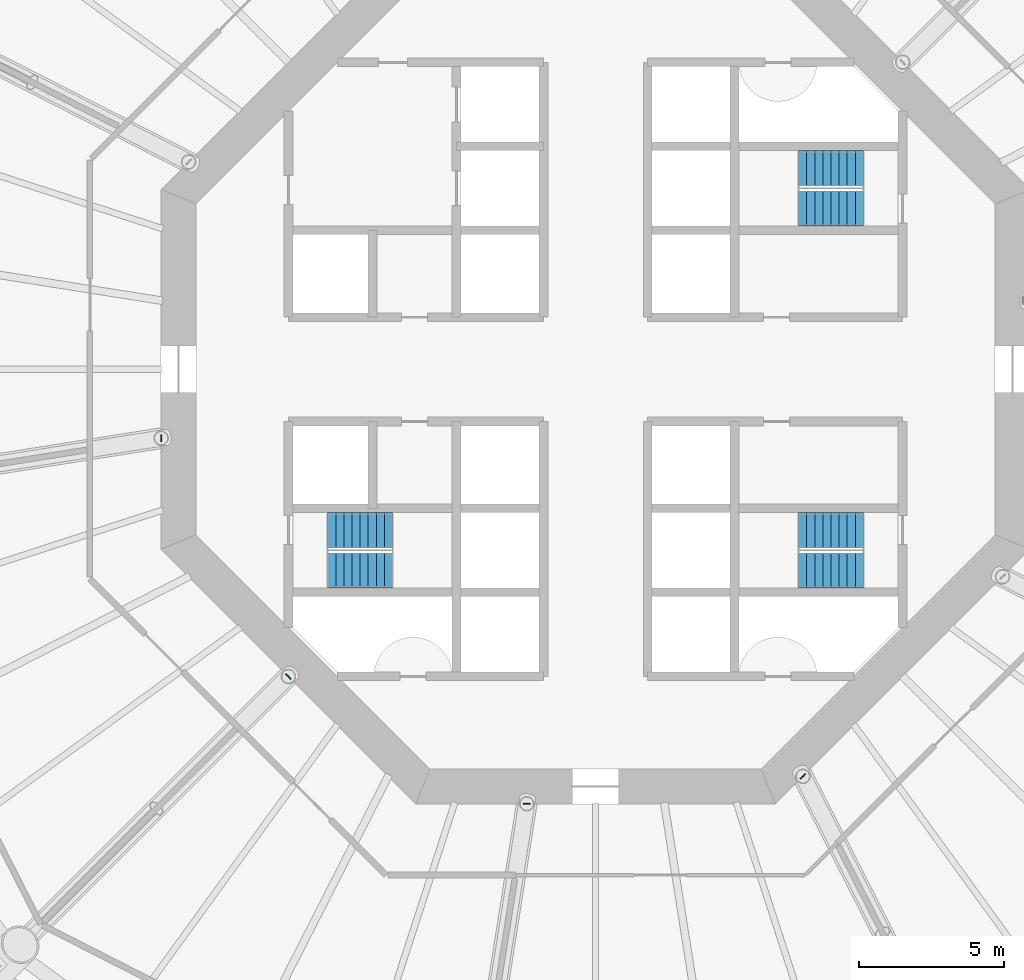
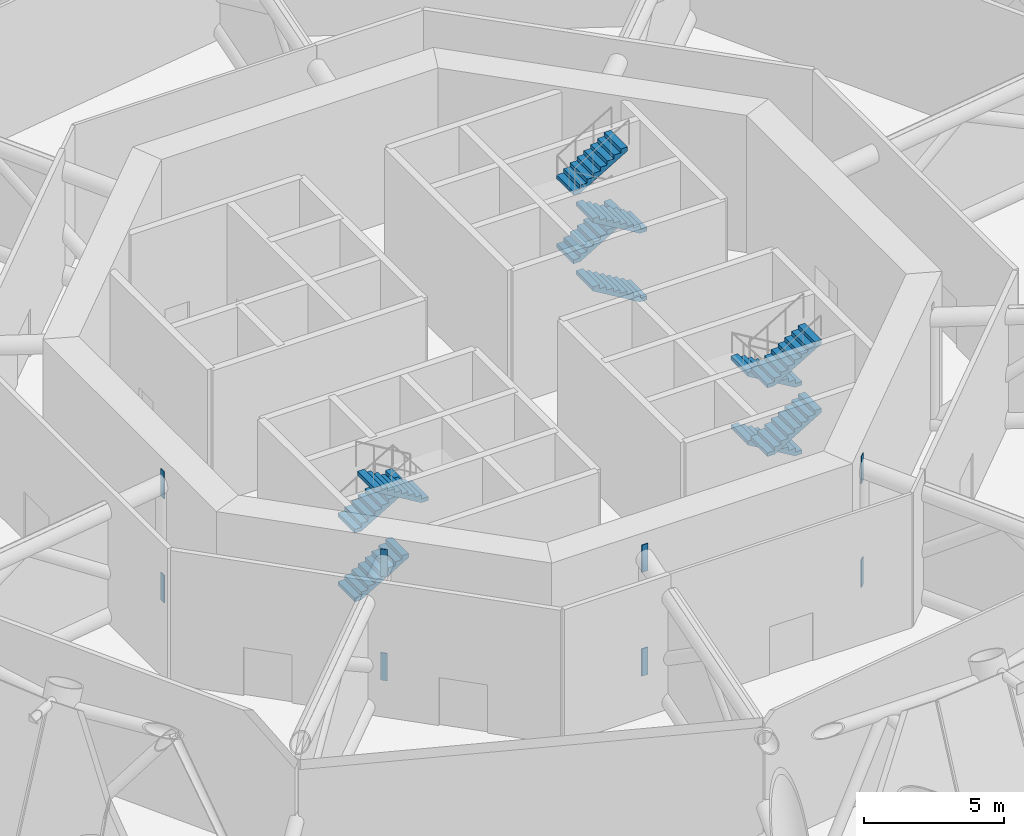
# One storey, part 10 of 18: 11 stair flights, 8 discrete accessories, 3 elements without a shape of their own.
"""IFC4 building model written with IfcOpenShell, lengths in metres."""

from ifc_helpers import new_model, si_unit, direction, frame, origin, origin_2d, place, context, subcontext, project, spatial, polyline, rectangle, outline, extrude, material, type_object, element, aggregate, save


model = new_model("IFC4")

# Units and contexts
model_context = context("Model", 3, precision=1e-05, world=origin(), true_north=direction((0.0, 1.0)))
body_context = subcontext(model_context, "Body", "Model", "MODEL_VIEW")
ifc_project = project(units=[si_unit("LENGTHUNIT", "METRE"), si_unit("AREAUNIT", "SQUARE_METRE"), si_unit("VOLUMEUNIT", "CUBIC_METRE"), si_unit("PLANEANGLEUNIT", "RADIAN"), si_unit("MASSUNIT", "GRAM", prefix="KILO")], contexts=[model_context])

# Site, building, storey
site_placement = place(None, origin())
site = spatial("IfcSite", under=ifc_project, at=site_placement, CompositionType="ELEMENT")
building_placement = place(site_placement, origin())
building = spatial("IfcBuilding", under=site, at=building_placement, Name="Entoto Ring Tower", CompositionType="ELEMENT")
storey_placement = place(building_placement, frame((0.0, 0.0, 138.0)))
storey = spatial("IfcBuildingStorey", under=building, at=storey_placement, Name="L31", CompositionType="ELEMENT", Elevation=138.0)

# Stair, stair flights
ifc_material_1 = material(Name="Concrete C40/50", Category="concrete")
stair_type = type_object("IfcStairType", Name="Exit stair 1200 mm dog-leg reinforced concrete", PredefinedType="HALF_TURN_STAIR", material=ifc_material_1)
stair_1_placement = place(storey_placement, origin())
stair_1 = element("IfcStair", 1, at=stair_1_placement, inside=storey, type_object=stair_type, Name="Exit stair 1", PredefinedType="HALF_TURN_STAIR")
ifc_material_2 = material(Name="Concrete C40/50", Category="concrete")
stair_flight_type = type_object("IfcStairFlightType", Name="Stair flight 1200 mm reinforced concrete", PredefinedType="STRAIGHT", material=ifc_material_2)
stair_flight_1_placement = place(storey_placement, frame((99.25, 85.550048828125, 0.0), z_axis=(0.0, 0.0, 1.0), x_axis=(-1.0, 0.0, 0.0)))
stair_flight_1 = element("IfcStairFlight", 2, at=stair_flight_1_placement, type_object=stair_flight_type, Name="ST1 flight 1", NumberOfRisers=9, NumberOfTreads=8, PredefinedType="STRAIGHT", RiserHeight=0.166666667, TreadLength=0.28, context=body_context, shape_type="SweptSolid", body=[
    extrude(outline(polyline([(0.0, 0.0), (0.0, 0.166748046875), (0.280029296875, 0.166748046875), (0.280029296875, 0.333251953125), (0.56005859375, 0.333251953125), (0.56005859375, 0.5), (0.840087890625, 0.5), (0.840087890625, 0.666748046875), (1.1201171875, 0.666748046875), (1.1201171875, 0.833251953125), (1.39990234375, 0.833251953125), (1.39990234375, 1.0), (1.679931640625, 1.0), (1.679931640625, 1.166748046875), (1.9599609375, 1.166748046875), (1.9599609375, 1.333251953125), (2.239990234375, 1.333251953125), (2.239990234375, 1.5), (2.239990234375, 1.158935546875), (0.29296875, 0.0), (0.0, 0.0)])), frame((0.0, 0.60009765625, 0.0), z_axis=(0.0, -1.0, 0.0), x_axis=(1.0, 0.0, 0.0)), (0.0, 0.0, 1.0), 1.199951171875),
])
stair_flight_2_placement = place(storey_placement, frame((97.010009765625, 86.949951171875, 1.5), z_axis=(0.0, 0.0, 1.0), x_axis=(1.0, 0.0, 0.0)))
stair_flight_2 = element("IfcStairFlight", 3, at=stair_flight_2_placement, type_object=stair_flight_type, Name="ST1 flight 2", NumberOfRisers=9, NumberOfTreads=8, PredefinedType="STRAIGHT", RiserHeight=0.166666667, TreadLength=0.28, context=body_context, shape_type="SweptSolid", body=[
    extrude(outline(polyline([(0.0, 0.0), (0.0, 0.166748046875), (0.280029296875, 0.166748046875), (0.280029296875, 0.333251953125), (0.56005859375, 0.333251953125), (0.56005859375, 0.5), (0.840087890625, 0.5), (0.840087890625, 0.666748046875), (1.1201171875, 0.666748046875), (1.1201171875, 0.833251953125), (1.39990234375, 0.833251953125), (1.39990234375, 1.0), (1.679931640625, 1.0), (1.679931640625, 1.166748046875), (1.9599609375, 1.166748046875), (1.9599609375, 1.333251953125), (2.239990234375, 1.333251953125), (2.239990234375, 1.5), (2.239990234375, 1.158935546875), (0.29296875, 0.0), (0.0, 0.0)])), frame((0.0, 0.60009765625, 0.0), z_axis=(0.0, -1.0, 0.0), x_axis=(1.0, 0.0, 0.0)), (0.0, 0.0, 1.0), 1.199951171875),
])
stair_flight_3_placement = place(storey_placement, frame((99.25, 85.550048828125, 3.0), z_axis=(0.0, 0.0, 1.0), x_axis=(-1.0, 0.0, 0.0)))
stair_flight_3 = element("IfcStairFlight", 4, at=stair_flight_3_placement, type_object=stair_flight_type, Name="ST1 flight 3", NumberOfRisers=9, NumberOfTreads=8, PredefinedType="STRAIGHT", RiserHeight=0.166666667, TreadLength=0.28, context=body_context, shape_type="SweptSolid", body=[
    extrude(outline(polyline([(0.0, 0.0), (0.0, 0.166748046875), (0.280029296875, 0.166748046875), (0.280029296875, 0.333251953125), (0.56005859375, 0.333251953125), (0.56005859375, 0.5), (0.840087890625, 0.5), (0.840087890625, 0.666748046875), (1.1201171875, 0.666748046875), (1.1201171875, 0.833251953125), (1.39990234375, 0.833251953125), (1.39990234375, 1.0), (1.679931640625, 1.0), (1.679931640625, 1.166748046875), (1.9599609375, 1.166748046875), (1.9599609375, 1.333251953125), (2.239990234375, 1.333251953125), (2.239990234375, 1.5), (2.239990234375, 1.158935546875), (0.29296875, 0.0), (0.0, 0.0)])), frame((0.0, 0.60009765625, 0.0), z_axis=(0.0, -1.0, 0.0), x_axis=(1.0, 0.0, 0.0)), (0.0, 0.0, 1.0), 1.199951171875),
])
stair_flight_4_placement = place(storey_placement, frame((97.010009765625, 86.949951171875, 4.5), z_axis=(0.0, 0.0, 1.0), x_axis=(1.0, 0.0, 0.0)))
stair_flight_4 = element("IfcStairFlight", 5, at=stair_flight_4_placement, type_object=stair_flight_type, Name="ST1 flight 4", NumberOfRisers=9, NumberOfTreads=8, PredefinedType="STRAIGHT", RiserHeight=0.166666667, TreadLength=0.28, context=body_context, shape_type="SweptSolid", body=[
    extrude(outline(polyline([(0.0, 0.0), (0.0, 0.166748046875), (0.280029296875, 0.166748046875), (0.280029296875, 0.333251953125), (0.56005859375, 0.333251953125), (0.56005859375, 0.5), (0.840087890625, 0.5), (0.840087890625, 0.666748046875), (1.1201171875, 0.666748046875), (1.1201171875, 0.833251953125), (1.39990234375, 0.833251953125), (1.39990234375, 1.0), (1.679931640625, 1.0), (1.679931640625, 1.166748046875), (1.9599609375, 1.166748046875), (1.9599609375, 1.333251953125), (2.239990234375, 1.333251953125), (2.239990234375, 1.5), (2.239990234375, 1.158935546875), (0.29296875, 0.0), (0.0, 0.0)])), frame((0.0, 0.60009765625, 0.0), z_axis=(0.0, -1.0, 0.0), x_axis=(1.0, 0.0, 0.0)), (0.0, 0.0, 1.0), 1.199951171875),
])
aggregate(stair_1, [stair_flight_1, stair_flight_2, stair_flight_3, stair_flight_4])

stair_2_placement = place(storey_placement, origin())
stair_2 = element("IfcStair", 6, at=stair_2_placement, inside=storey, type_object=stair_type, Name="Exit stair 2", PredefinedType="HALF_TURN_STAIR")
stair_flight_5_placement = place(storey_placement, frame((80.75, 74.449951171875, 0.0), z_axis=(0.0, 0.0, 1.0), x_axis=(1.0, 0.0, 0.0)))
stair_flight_5 = element("IfcStairFlight", 7, at=stair_flight_5_placement, type_object=stair_flight_type, Name="ST2 flight 1", NumberOfRisers=9, NumberOfTreads=8, PredefinedType="STRAIGHT", RiserHeight=0.166666667, TreadLength=0.28, context=body_context, shape_type="SweptSolid", body=[
    extrude(outline(polyline([(0.0, 0.0), (0.0, 0.166748046875), (0.280029296875, 0.166748046875), (0.280029296875, 0.333251953125), (0.56005859375, 0.333251953125), (0.56005859375, 0.5), (0.840087890625, 0.5), (0.840087890625, 0.666748046875), (1.1201171875, 0.666748046875), (1.1201171875, 0.833251953125), (1.39990234375, 0.833251953125), (1.39990234375, 1.0), (1.679931640625, 1.0), (1.679931640625, 1.166748046875), (1.9599609375, 1.166748046875), (1.9599609375, 1.333251953125), (2.239990234375, 1.333251953125), (2.239990234375, 1.5), (2.239990234375, 1.158935546875), (0.29296875, 0.0), (0.0, 0.0)])), frame((0.0, 0.60009765625, 0.0), z_axis=(0.0, -1.0, 0.0), x_axis=(1.0, 0.0, 0.0)), (0.0, 0.0, 1.0), 1.199951171875),
])
stair_flight_6_placement = place(storey_placement, frame((80.75, 74.449951171875, 3.0), z_axis=(0.0, 0.0, 1.0), x_axis=(1.0, 0.0, 0.0)))
stair_flight_6 = element("IfcStairFlight", 8, at=stair_flight_6_placement, type_object=stair_flight_type, Name="ST2 flight 3", NumberOfRisers=9, NumberOfTreads=8, PredefinedType="STRAIGHT", RiserHeight=0.166666667, TreadLength=0.28, context=body_context, shape_type="SweptSolid", body=[
    extrude(outline(polyline([(0.0, 0.0), (0.0, 0.166748046875), (0.280029296875, 0.166748046875), (0.280029296875, 0.333251953125), (0.56005859375, 0.333251953125), (0.56005859375, 0.5), (0.840087890625, 0.5), (0.840087890625, 0.666748046875), (1.1201171875, 0.666748046875), (1.1201171875, 0.833251953125), (1.39990234375, 0.833251953125), (1.39990234375, 1.0), (1.679931640625, 1.0), (1.679931640625, 1.166748046875), (1.9599609375, 1.166748046875), (1.9599609375, 1.333251953125), (2.239990234375, 1.333251953125), (2.239990234375, 1.5), (2.239990234375, 1.158935546875), (0.29296875, 0.0), (0.0, 0.0)])), frame((0.0, 0.60009765625, 0.0), z_axis=(0.0, -1.0, 0.0), x_axis=(1.0, 0.0, 0.0)), (0.0, 0.0, 1.0), 1.199951171875),
])
stair_flight_7_placement = place(storey_placement, frame((82.989990234375, 73.050048828125, 4.5), z_axis=(0.0, 0.0, 1.0), x_axis=(-1.0, 0.0, 0.0)))
stair_flight_7 = element("IfcStairFlight", 9, at=stair_flight_7_placement, type_object=stair_flight_type, Name="ST2 flight 4", NumberOfRisers=9, NumberOfTreads=8, PredefinedType="STRAIGHT", RiserHeight=0.166666667, TreadLength=0.28, context=body_context, shape_type="SweptSolid", body=[
    extrude(outline(polyline([(0.0, 0.0), (0.0, 0.166748046875), (0.280029296875, 0.166748046875), (0.280029296875, 0.333251953125), (0.56005859375, 0.333251953125), (0.56005859375, 0.5), (0.840087890625, 0.5), (0.840087890625, 0.666748046875), (1.1201171875, 0.666748046875), (1.1201171875, 0.833251953125), (1.39990234375, 0.833251953125), (1.39990234375, 1.0), (1.679931640625, 1.0), (1.679931640625, 1.166748046875), (1.9599609375, 1.166748046875), (1.9599609375, 1.333251953125), (2.239990234375, 1.333251953125), (2.239990234375, 1.5), (2.239990234375, 1.158935546875), (0.29296875, 0.0), (0.0, 0.0)])), frame((0.0, 0.60009765625, 0.0), z_axis=(0.0, -1.0, 0.0), x_axis=(1.0, 0.0, 0.0)), (0.0, 0.0, 1.0), 1.199951171875),
])
aggregate(stair_2, [stair_flight_5, stair_flight_6, stair_flight_7])

stair_3_placement = place(storey_placement, origin())
stair_3 = element("IfcStair", 10, at=stair_3_placement, inside=storey, type_object=stair_type, Name="Exit stair 3", PredefinedType="HALF_TURN_STAIR")
stair_flight_8_placement = place(storey_placement, frame((99.25, 74.449951171875, 0.0), z_axis=(0.0, 0.0, 1.0), x_axis=(-1.0, 0.0, 0.0)))
stair_flight_8 = element("IfcStairFlight", 11, at=stair_flight_8_placement, type_object=stair_flight_type, Name="ST3 flight 1", NumberOfRisers=9, NumberOfTreads=8, PredefinedType="STRAIGHT", RiserHeight=0.166666667, TreadLength=0.28, context=body_context, shape_type="SweptSolid", body=[
    extrude(outline(polyline([(0.0, 0.0), (0.0, 0.166748046875), (0.280029296875, 0.166748046875), (0.280029296875, 0.333251953125), (0.56005859375, 0.333251953125), (0.56005859375, 0.5), (0.840087890625, 0.5), (0.840087890625, 0.666748046875), (1.1201171875, 0.666748046875), (1.1201171875, 0.833251953125), (1.39990234375, 0.833251953125), (1.39990234375, 1.0), (1.679931640625, 1.0), (1.679931640625, 1.166748046875), (1.9599609375, 1.166748046875), (1.9599609375, 1.333251953125), (2.239990234375, 1.333251953125), (2.239990234375, 1.5), (2.239990234375, 1.158935546875), (0.29296875, 0.0), (0.0, 0.0)])), frame((0.0, 0.60009765625, 0.0), z_axis=(0.0, -1.0, 0.0), x_axis=(1.0, 0.0, 0.0)), (0.0, 0.0, 1.0), 1.199951171875),
])
stair_flight_9_placement = place(storey_placement, frame((97.010009765625, 73.050048828125, 1.5), z_axis=(0.0, 0.0, 1.0), x_axis=(1.0, 0.0, 0.0)))
stair_flight_9 = element("IfcStairFlight", 12, at=stair_flight_9_placement, type_object=stair_flight_type, Name="ST3 flight 2", NumberOfRisers=9, NumberOfTreads=8, PredefinedType="STRAIGHT", RiserHeight=0.166666667, TreadLength=0.28, context=body_context, shape_type="SweptSolid", body=[
    extrude(outline(polyline([(0.0, 0.0), (0.0, 0.166748046875), (0.280029296875, 0.166748046875), (0.280029296875, 0.333251953125), (0.56005859375, 0.333251953125), (0.56005859375, 0.5), (0.840087890625, 0.5), (0.840087890625, 0.666748046875), (1.1201171875, 0.666748046875), (1.1201171875, 0.833251953125), (1.39990234375, 0.833251953125), (1.39990234375, 1.0), (1.679931640625, 1.0), (1.679931640625, 1.166748046875), (1.9599609375, 1.166748046875), (1.9599609375, 1.333251953125), (2.239990234375, 1.333251953125), (2.239990234375, 1.5), (2.239990234375, 1.158935546875), (0.29296875, 0.0), (0.0, 0.0)])), frame((0.0, 0.60009765625, 0.0), z_axis=(0.0, -1.0, 0.0), x_axis=(1.0, 0.0, 0.0)), (0.0, 0.0, 1.0), 1.199951171875),
])
stair_flight_10_placement = place(storey_placement, frame((99.25, 74.449951171875, 3.0), z_axis=(0.0, 0.0, 1.0), x_axis=(-1.0, 0.0, 0.0)))
stair_flight_10 = element("IfcStairFlight", 13, at=stair_flight_10_placement, type_object=stair_flight_type, Name="ST3 flight 3", NumberOfRisers=9, NumberOfTreads=8, PredefinedType="STRAIGHT", RiserHeight=0.166666667, TreadLength=0.28, context=body_context, shape_type="SweptSolid", body=[
    extrude(outline(polyline([(0.0, 0.0), (0.0, 0.166748046875), (0.280029296875, 0.166748046875), (0.280029296875, 0.333251953125), (0.56005859375, 0.333251953125), (0.56005859375, 0.5), (0.840087890625, 0.5), (0.840087890625, 0.666748046875), (1.1201171875, 0.666748046875), (1.1201171875, 0.833251953125), (1.39990234375, 0.833251953125), (1.39990234375, 1.0), (1.679931640625, 1.0), (1.679931640625, 1.166748046875), (1.9599609375, 1.166748046875), (1.9599609375, 1.333251953125), (2.239990234375, 1.333251953125), (2.239990234375, 1.5), (2.239990234375, 1.158935546875), (0.29296875, 0.0), (0.0, 0.0)])), frame((0.0, 0.60009765625, 0.0), z_axis=(0.0, -1.0, 0.0), x_axis=(1.0, 0.0, 0.0)), (0.0, 0.0, 1.0), 1.199951171875),
])
stair_flight_11_placement = place(storey_placement, frame((97.010009765625, 73.050048828125, 4.5), z_axis=(0.0, 0.0, 1.0), x_axis=(1.0, 0.0, 0.0)))
stair_flight_11 = element("IfcStairFlight", 14, at=stair_flight_11_placement, type_object=stair_flight_type, Name="ST3 flight 4", NumberOfRisers=9, NumberOfTreads=8, PredefinedType="STRAIGHT", RiserHeight=0.166666667, TreadLength=0.28, context=body_context, shape_type="SweptSolid", body=[
    extrude(outline(polyline([(0.0, 0.0), (0.0, 0.166748046875), (0.280029296875, 0.166748046875), (0.280029296875, 0.333251953125), (0.56005859375, 0.333251953125), (0.56005859375, 0.5), (0.840087890625, 0.5), (0.840087890625, 0.666748046875), (1.1201171875, 0.666748046875), (1.1201171875, 0.833251953125), (1.39990234375, 0.833251953125), (1.39990234375, 1.0), (1.679931640625, 1.0), (1.679931640625, 1.166748046875), (1.9599609375, 1.166748046875), (1.9599609375, 1.333251953125), (2.239990234375, 1.333251953125), (2.239990234375, 1.5), (2.239990234375, 1.158935546875), (0.29296875, 0.0), (0.0, 0.0)])), frame((0.0, 0.60009765625, 0.0), z_axis=(0.0, -1.0, 0.0), x_axis=(1.0, 0.0, 0.0)), (0.0, 0.0, 1.0), 1.199951171875),
])
aggregate(stair_3, [stair_flight_8, stair_flight_9, stair_flight_10, stair_flight_11])

# Discrete accessories
ifc_material_3 = material(Name="Steel S355", Category="steel")
for number, where, z_axis, x_axis, name in (
    (15, (75.0, 77.624267578125, -0.24462890625), (0.0, 0.0, 1.0), (-1.0, 0.0, 0.0), "Embedded plate L31 bottom 06"),
    (16, (75.0, 77.624267578125, 4.29443359375), (0.0, 0.0, 1.0), (-1.0, 0.0, 0.0), "Embedded plate L31 top 06"),
    (17, (79.393310546875, 69.393310546875, -0.24462890625), (0.0, 0.0, 1.0), (-0.707106781187, -0.707106781187, 0.0), "Embedded plate L31 bottom 07"),
    (18, (79.393310546875, 69.393310546875, 4.29443359375), (0.0, 0.0, 1.0), (-0.707106781187, -0.707106781187, 0.0), "Embedded plate L31 top 07"),
    (19, (87.624267578125, 65.0, -0.24462890625), (0.0, 0.0, 1.0), (0.0, -1.0, 0.0), "Embedded plate L31 bottom 08"),
    (20, (87.624267578125, 65.0, 4.29443359375), (0.0, 0.0, 1.0), (0.0, -1.0, 0.0), "Embedded plate L31 top 08"),
    (21, (97.160400390625, 65.947021484375, -0.24462890625), (0.0, 0.0, 1.0), (0.707106781187, -0.707106781187, 0.0), "Embedded plate L31 bottom 09"),
    (22, (97.160400390625, 65.947021484375, 4.29443359375), (0.0, 0.0, 1.0), (0.707106781187, -0.707106781187, 0.0), "Embedded plate L31 top 09"),
):
    element("IfcDiscreteAccessory", number, at=place(storey_placement, frame(where, z_axis=z_axis, x_axis=x_axis)), inside=storey, material=ifc_material_3, Name=name, PredefinedType="ANCHORPLATE", context=body_context, shape_type="SweptSolid", body=[
        extrude(rectangle(XDim=0.0400390625, YDim=0.25, at=origin_2d()), origin(), (0.0, 0.0, 1.0), 1.199951171875),
    ])

save(model, "model.ifc")
